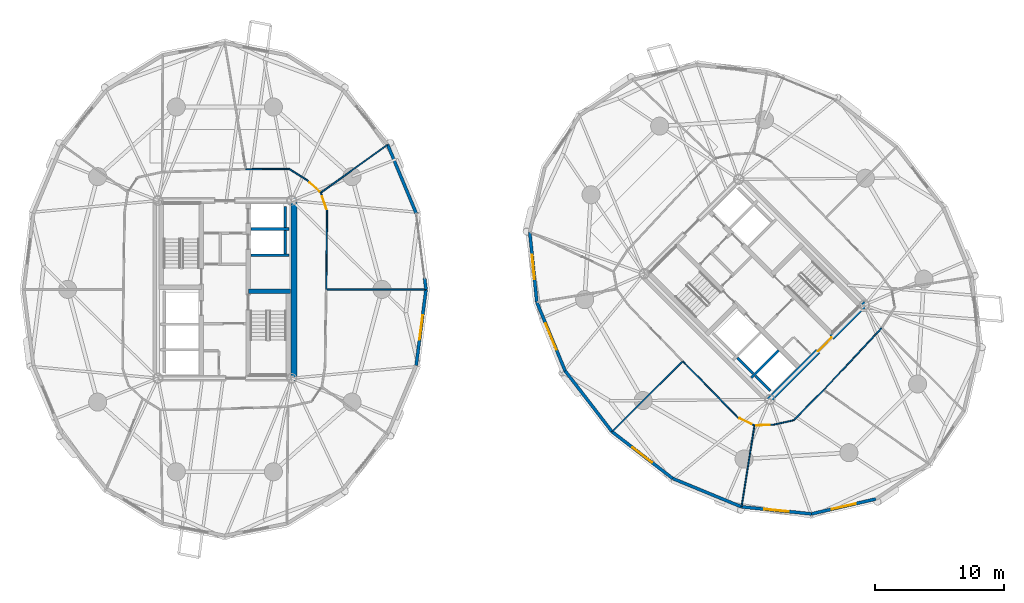
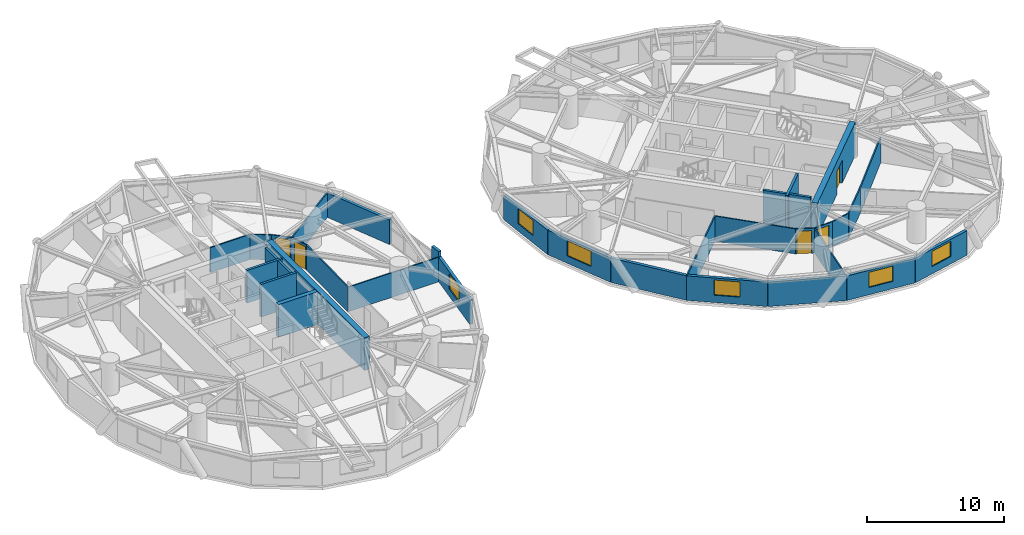
# One storey, part 11 of 16: 35 walls, 6 windows, 5 doors, 11 openings.
"""IFC4 building model written with IfcOpenShell, lengths in metres."""

from ifc_helpers import new_model, si_unit, direction, frame, frame_2d, origin, place, context, subcontext, project, spatial, rectangle, extrude, source, transform, mapped, material, layer, layer_set, type_object, element, fill, save


model = new_model("IFC4")

# Units and contexts
model_context = context("Model", 3, precision=1e-05, world=origin(), true_north=direction((0.0, 1.0)))
body_context = subcontext(model_context, "Body", "Model", "MODEL_VIEW")
ifc_project = project(units=[si_unit("LENGTHUNIT", "METRE"), si_unit("AREAUNIT", "SQUARE_METRE"), si_unit("VOLUMEUNIT", "CUBIC_METRE"), si_unit("PLANEANGLEUNIT", "RADIAN"), si_unit("MASSUNIT", "GRAM", prefix="KILO")], contexts=[model_context])

# Site, building, storey
site_placement = place(None, origin())
site = spatial("IfcSite", under=ifc_project, at=site_placement, CompositionType="ELEMENT")
building_placement = place(site_placement, origin())
building = spatial("IfcBuilding", under=site, at=building_placement, Name="Cununo Teusaquillo Station Towers", CompositionType="ELEMENT")
storey_placement = place(building_placement, frame((0.0, 0.0, 99.25)))
storey = spatial("IfcBuildingStorey", under=building, at=storey_placement, Name="L31", CompositionType="ELEMENT", Elevation=99.25)

# Walls
ifc_material_1 = material(Name="Concrete C50/60", Category="concrete")
ifc_layer_1 = layer(ifc_material_1, 0.199951171875)
ifc_layer_set_1 = layer_set([ifc_layer_1], Name="Concrete C50/60")
wall_type_1 = type_object("IfcWallType", Name="WL-CORE-200", PredefinedType="SHEAR", material=ifc_layer_set_1)
for number, where, z_axis, x_axis, name in (
    (1, (18.510009765625, 27.1298828125, 0.0), (0.0, 0.0, 1.0), (1.0, 0.0, 0.0), "L31 Tower A Low-Rise Lift Hoistway South Shear Wall"),
    (2, (18.510009765625, 29.175048828125, 0.0), (0.0, 0.0, 1.0), (1.0, 0.0, 0.0), "L31 Tower A Low-Rise Lift Hoistway Divider Shear Wall"),
):
    element("IfcWall", number, at=place(storey_placement, frame(where, z_axis=z_axis, x_axis=x_axis)), inside=storey, type_object=wall_type_1, Name=name, PredefinedType="SHEAR", context=body_context, shape_type="SweptSolid", body=[
        extrude(rectangle(XDim=2.969970703125, YDim=0.199951171875, at=frame_2d((1.48486328125, 0.0))), origin(), (0.0, 0.0, 1.0), 2.909912109375),
    ])
wall_1_placement = place(storey_placement, frame((21.179931640625, 27.25, 0.0), z_axis=(0.0, 0.0, 1.0), x_axis=(0.0, 1.0, 0.0)))
element("IfcWall", 3, at=wall_1_placement, inside=storey, type_object=wall_type_1, Name="L31 Tower A Low-Rise Lift 1 Shaft Rear Shear Wall", PredefinedType="SHEAR", context=body_context, shape_type="SweptSolid", body=[
    extrude(rectangle(XDim=1.804931640625, YDim=0.199951171875, at=frame_2d((0.90234375, 0.0))), origin(), (0.0, 0.0, 1.0), 2.909912109375),
])
wall_2_placement = place(storey_placement, frame((21.179931640625, 29.294921875, 0.0), z_axis=(0.0, 0.0, 1.0), x_axis=(0.0, 1.0, 0.0)))
element("IfcWall", 4, at=wall_2_placement, inside=storey, type_object=wall_type_1, Name="L31 Tower A Low-Rise Lift 2 Shaft Rear Shear Wall", PredefinedType="SHEAR", context=body_context, shape_type="SweptSolid", body=[
    extrude(rectangle(XDim=1.635009765625, YDim=0.199951171875, at=frame_2d((0.8173828125, 0.0))), origin(), (0.0, 0.0, 1.0), 2.909912109375),
])
wall_3_placement = place(storey_placement, frame((57.2841796875, 17.6728515625, 0.0), z_axis=(0.0, 0.0, 1.0), x_axis=(0.707147878904, 0.70706568108, 0.0)))
element("IfcWall", 5, at=wall_3_placement, inside=storey, type_object=wall_type_1, Name="L31 Tower B High-Rise Lift Hoistway Divider Shear Wall", PredefinedType="SHEAR", context=body_context, shape_type="SweptSolid", body=[
    extrude(rectangle(XDim=2.97021484375, YDim=0.199951171875, at=frame_2d((1.485107421875, 0.0))), origin(), (0.0, 0.0, 1.0), 2.909912109375),
])
wall_4_placement = place(storey_placement, frame((57.41162109375, 17.969970703125, 0.0), z_axis=(0.0, 0.0, 1.0), x_axis=(-0.707106781187, 0.707106781187, 0.0)))
element("IfcWall", 6, at=wall_4_placement, inside=storey, type_object=wall_type_1, Name="L31 Tower B High-Rise Lift 2 Shaft Rear Shear Wall", PredefinedType="SHEAR", context=body_context, shape_type="SweptSolid", body=[
    extrude(rectangle(XDim=1.73486328125, YDim=0.199951171875, at=frame_2d((0.867431640625, 0.0))), origin(), (0.0, 0.0, 1.0), 2.909912109375),
])
wall_5_placement = place(storey_placement, frame((58.7373046875, 16.64404296875, 0.0), z_axis=(0.0, 0.0, 1.0), x_axis=(-0.707032117043, 0.707181437447, 0.0)))
element("IfcWall", 7, at=wall_5_placement, inside=storey, type_object=wall_type_1, Name="L31 Tower B High-Rise Lift 1 Shaft Rear Shear Wall", PredefinedType="SHEAR", context=body_context, shape_type="SweptSolid", body=[
    extrude(rectangle(XDim=1.635009765625, YDim=0.199951171875, at=frame_2d((0.8173828125, 0.0))), origin(), (0.0, 0.0, 1.0), 2.909912109375),
])
ifc_material_2 = material(Name="Concrete C50/60", Category="concrete")
ifc_layer_2 = layer(ifc_material_2, 0.35009765625)
ifc_layer_set_2 = layer_set([ifc_layer_2], Name="Concrete C50/60")
wall_type_2 = type_object("IfcWallType", Name="WL-CORE-350", PredefinedType="SHEAR", material=ifc_layer_set_2)
wall_6_placement = place(storey_placement, frame((18.31494140625, 24.344970703125, 0.0), z_axis=(0.0, 0.0, 1.0), x_axis=(1.0, 0.0, 0.0)))
element("IfcWall", 8, at=wall_6_placement, inside=storey, type_object=wall_type_2, Name="L31 Tower A Core Shear Wall ST2N", PredefinedType="SHEAR", context=body_context, shape_type="SweptSolid", body=[
    extrude(rectangle(XDim=3.28515625, YDim=0.35009765625, at=frame_2d((1.642578125, 0.0))), origin(), (0.0, 0.0, 1.0), 2.909912109375),
])
ifc_material_3 = material(Name="Concrete C60/75", Category="concrete")
ifc_layer_3 = layer(ifc_material_3, 0.449951171875)
ifc_layer_set_3 = layer_set([ifc_layer_3], Name="Concrete C60/75")
wall_type_3 = type_object("IfcWallType", Name="WL-CORE-450", PredefinedType="SHEAR", material=ifc_layer_set_3)
wall_7_placement = place(storey_placement, frame((21.85009765625, 17.39990234375, 0.0), z_axis=(0.0, 0.0, 1.0), x_axis=(0.0, 1.0, 0.0)))
element("IfcWall", 9, at=wall_7_placement, inside=storey, type_object=wall_type_3, Name="L31 Tower A Core Shear Wall E", PredefinedType="SHEAR", context=body_context, shape_type="SweptSolid", body=[
    extrude(rectangle(XDim=14.2001953125, YDim=0.449951171875, at=frame_2d((7.10009765625, 0.0))), origin(), (0.0, 0.0, 1.0), 2.909912109375),
])

# Wall, opening, door
wall_8_placement = place(storey_placement, frame((58.578369140625, 15.855712890625, 0.0), z_axis=(0.0, 0.0, 1.0), x_axis=(0.707106781187, 0.707106781187, 0.0)))
wall_8 = element("IfcWall", 10, at=wall_8_placement, inside=storey, type_object=wall_type_3, Name="L31 Tower B Core Shear Wall S", PredefinedType="SHEAR", context=body_context, shape_type="SweptSolid", body=[
    extrude(rectangle(XDim=10.69970703125, YDim=0.449951171875, at=frame_2d((5.349853515625, 0.0))), origin(), (0.0, 0.0, 1.0), 2.909912109375),
])
shared_shape_1 = source(origin(), body_context, "Body", "SweptSolid", [
    extrude(rectangle(XDim=1.5, YDim=2.02001953125, at=frame_2d((0.75, 1.010009765625))), frame((0.0, 0.23486328125, 0.0), z_axis=(0.0, -1.0, 0.0), x_axis=(1.0, 0.0, 0.0)), (0.0, 0.0, 1.0), 0.469970703125),
])
opening_1_placement = place(wall_8_placement, frame((5.449951171875, 0.0, 0.0)))
opening_1 = element("IfcOpeningElement", 11, at=opening_1_placement, cuts=wall_8, Name="Opening D-LB1", PredefinedType="OPENING", context=body_context, shape_type="MappedRepresentation", body=[
    mapped(shared_shape_1, transform((0.0, 0.0, 0.0), x_axis=(1.0, 0.0, 0.0), y_axis=(0.0, 1.0, 0.0), z_axis=(0.0, 0.0, 1.0), scale=1.0)),
])
ifc_material_4 = material(Name="Galvanised fire-rated hollow steel door assembly", Category="steel")
door_type_1 = type_object("IfcDoorType", Name="DR-LOBBY-1500", OperationType="DOUBLE_DOOR_SINGLE_SWING", PredefinedType="DOOR", material=ifc_material_4)
shared_shape_2 = source(origin(), body_context, "Body", "SweptSolid", [
    extrude(rectangle(XDim=1.5, YDim=2.02001953125, at=frame_2d((0.75, 1.010009765625))), frame((0.0, 0.02490234375, 0.0), z_axis=(0.0, -1.0, 0.0), x_axis=(1.0, 0.0, 0.0)), (0.0, 0.0, 1.0), 0.050048828125),
])
door_1_placement = place(opening_1_placement, origin())
door_1 = element("IfcDoor", 12, at=door_1_placement, inside=storey, type_object=door_type_1, Name="L31 Tower B South Core Lift Lobby Door", OperationType="DOUBLE_DOOR_SINGLE_SWING", OverallHeight=2.02001953125, OverallWidth=1.5, PredefinedType="DOOR", context=body_context, shape_type="MappedRepresentation", body=[
    mapped(shared_shape_2, transform((0.0, 0.0, 0.0), x_axis=(1.0, 0.0, 0.0), y_axis=(0.0, 1.0, 0.0), z_axis=(0.0, 0.0, 1.0), scale=1.0)),
])
fill(opening_1, door_1)

# Walls
ifc_material_5 = material(Name="Precast concrete C40/50", Category="concrete")
ifc_layer_4 = layer(ifc_material_5, 0.239990234375)
ifc_layer_set_4 = layer_set([ifc_layer_4], Name="Precast concrete C40/50")
wall_type_4 = type_object("IfcWallType", Name="WL-EXT-240", PredefinedType="SOLIDWALL", material=ifc_layer_set_4)
wall_9_placement = place(storey_placement, frame((31.96923828125, 25.36279296875, 0.0), z_axis=(0.0, 0.0, 1.0), x_axis=(0.128523364007, -0.991706481225, 0.0)))
element("IfcWall", 13, at=wall_9_placement, inside=storey, type_object=wall_type_4, Name="L31 Tower A Column Pier Cladding Wall C00-PB", PredefinedType="SOLIDWALL", context=body_context, shape_type="SweptSolid", body=[
    extrude(rectangle(XDim=0.8701171875, YDim=0.239990234375, at=frame_2d((0.43505859375, 0.0))), origin(), (0.0, 0.0, 1.0), 2.655029296875),
])
wall_10_placement = place(storey_placement, frame((29.105224609375, 35.708984375, 0.0), z_axis=(0.0, 0.0, 1.0), x_axis=(0.384344417632, -0.923189779317, 0.0)))
element("IfcWall", 14, at=wall_10_placement, inside=storey, type_object=wall_type_4, Name="L31 Tower A Exterior Facade Wall C01", PredefinedType="SOLIDWALL", context=body_context, shape_type="SweptSolid", body=[
    extrude(rectangle(XDim=5.75830078125, YDim=0.239990234375, at=frame_2d((2.879150390625, 0.0))), origin(), (0.0, 0.0, 1.0), 2.178955078125),
])

# Wall, opening, window
wall_11_placement = place(storey_placement, frame((32.0810546875, 24.5, 0.0), z_axis=(0.0, 0.0, 1.0), x_axis=(-0.128351991996, -0.991728675672, 0.0)))
wall_11 = element("IfcWall", 15, at=wall_11_placement, inside=storey, type_object=wall_type_4, Name="L31 Tower A Exterior Facade Wall C19", PredefinedType="SOLIDWALL", context=body_context, shape_type="SweptSolid", body=[
    extrude(rectangle(XDim=5.942138671875, YDim=0.239990234375, at=frame_2d((2.97119140625, 0.0))), origin(), (0.0, 0.0, 1.0), 2.178955078125),
])
shared_shape_3 = source(origin(), body_context, "Body", "SweptSolid", [
    extrude(rectangle(XDim=1.89990234375, YDim=1.35009765625, at=frame_2d((0.949951171875, 0.675048828125))), frame((0.0, 0.1298828125, 0.0), z_axis=(0.0, -1.0, 0.0), x_axis=(1.0, 0.0, 0.0)), (0.0, 0.0, 1.0), 0.260009765625),
])
opening_2_placement = place(wall_11_placement, frame((2.02099609375, 0.0, 0.64990234375)))
opening_2 = element("IfcOpeningElement", 16, at=opening_2_placement, cuts=wall_11, Name="Opening WN-02", PredefinedType="OPENING", context=body_context, shape_type="MappedRepresentation", body=[
    mapped(shared_shape_3, transform((0.0, 0.0, 0.0), x_axis=(1.0, 0.0, 0.0), y_axis=(0.0, 1.0, 0.0), z_axis=(0.0, 0.0, 1.0), scale=1.0)),
])
ifc_material_6 = material(Name="Operable acoustic tinted low-E double glazing", Category="glass")
window_type_1 = type_object("IfcWindowType", Name="WIN-OPER-1900", PartitioningType="DOUBLE_PANEL_VERTICAL", PredefinedType="WINDOW", material=ifc_material_6)
shared_shape_4 = source(origin(), body_context, "Body", "SweptSolid", [
    extrude(rectangle(XDim=1.89990234375, YDim=1.35009765625, at=frame_2d((0.949951171875, 0.675048828125))), frame((0.0, 0.030029296875, 0.0), z_axis=(0.0, -1.0, 0.0), x_axis=(1.0, 0.0, 0.0)), (0.0, 0.0, 1.0), 0.06005859375),
])
window_1_placement = place(opening_2_placement, origin())
window_1 = element("IfcWindow", 17, at=window_1_placement, inside=storey, type_object=window_type_1, Name="L31 Tower A Facade Window C19", OverallHeight=1.35009765625, OverallWidth=1.89990234375, PartitioningType="DOUBLE_PANEL_VERTICAL", PredefinedType="WINDOW", context=body_context, shape_type="MappedRepresentation", body=[
    mapped(shared_shape_4, transform((0.0, 0.0, 0.0), x_axis=(1.0, 0.0, 0.0), y_axis=(0.0, 1.0, 0.0), z_axis=(0.0, 0.0, 1.0), scale=1.0)),
])
fill(opening_2, window_1)

wall_12_placement = place(storey_placement, frame((40.66064453125, 23.5126953125, 0.0), z_axis=(0.0, 0.0, 1.0), x_axis=(-0.10015591906, 0.994971754311, 0.0)))
wall_12 = element("IfcWall", 18, at=wall_12_placement, inside=storey, type_object=wall_type_4, Name="L31 Tower B Exterior Facade Wall C07", PredefinedType="SOLIDWALL", context=body_context, shape_type="SweptSolid", body=[
    extrude(rectangle(XDim=5.447998046875, YDim=0.239990234375, at=frame_2d((2.72412109375, 0.0))), origin(), (0.0, 0.0, 1.0), 2.178955078125),
])
opening_3_placement = place(wall_12_placement, frame((1.77392578125, 0.0, 0.64990234375)))
opening_3 = element("IfcOpeningElement", 19, at=opening_3_placement, cuts=wall_12, Name="Opening WN-02", PredefinedType="OPENING", context=body_context, shape_type="MappedRepresentation", body=[
    mapped(shared_shape_3, transform((0.0, 0.0, 0.0), x_axis=(1.0, 0.0, 0.0), y_axis=(0.0, 1.0, 0.0), z_axis=(0.0, 0.0, 1.0), scale=1.0)),
])
window_2_placement = place(opening_3_placement, origin())
window_2 = element("IfcWindow", 20, at=window_2_placement, inside=storey, type_object=window_type_1, Name="L31 Tower B Facade Window C07", OverallHeight=1.35009765625, OverallWidth=1.89990234375, PartitioningType="DOUBLE_PANEL_VERTICAL", PredefinedType="WINDOW", context=body_context, shape_type="MappedRepresentation", body=[
    mapped(shared_shape_4, transform((0.0, 0.0, 0.0), x_axis=(1.0, 0.0, 0.0), y_axis=(0.0, 1.0, 0.0), z_axis=(0.0, 0.0, 1.0), scale=1.0)),
])
fill(opening_3, window_2)

wall_13_placement = place(storey_placement, frame((42.854736328125, 18.188720703125, 0.0), z_axis=(0.0, 0.0, 1.0), x_axis=(-0.381027003055, 0.924563909604, 0.0)))
wall_13 = element("IfcWall", 21, at=wall_13_placement, inside=storey, type_object=wall_type_4, Name="L31 Tower B Exterior Facade Wall C08", PredefinedType="SOLIDWALL", context=body_context, shape_type="SweptSolid", body=[
    extrude(rectangle(XDim=5.75830078125, YDim=0.239990234375, at=frame_2d((2.879150390625, 0.0))), origin(), (0.0, 0.0, 1.0), 2.178955078125),
])
shared_shape_5 = source(origin(), body_context, "Body", "SweptSolid", [
    extrude(rectangle(XDim=2.199951171875, YDim=1.35009765625, at=frame_2d((1.10009765625, 0.675048828125))), frame((0.0, 0.1298828125, 0.0), z_axis=(0.0, -1.0, 0.0), x_axis=(1.0, 0.0, 0.0)), (0.0, 0.0, 1.0), 0.260009765625),
])
opening_4_placement = place(wall_13_placement, frame((1.779052734375, 0.0, 0.64990234375)))
opening_4 = element("IfcOpeningElement", 22, at=opening_4_placement, cuts=wall_13, Name="Opening WN-01", PredefinedType="OPENING", context=body_context, shape_type="MappedRepresentation", body=[
    mapped(shared_shape_5, transform((0.0, 0.0, 0.0), x_axis=(1.0, 0.0, 0.0), y_axis=(0.0, 1.0, 0.0), z_axis=(0.0, 0.0, 1.0), scale=1.0)),
])
ifc_material_7 = material(Name="Ceramic-fritted dark low-E double glazing", Category="glass")
window_type_2 = type_object("IfcWindowType", Name="WIN-FRIT-2200", PartitioningType="DOUBLE_PANEL_VERTICAL", PredefinedType="WINDOW", material=ifc_material_7)
shared_shape_6 = source(origin(), body_context, "Body", "SweptSolid", [
    extrude(rectangle(XDim=2.199951171875, YDim=1.35009765625, at=frame_2d((1.10009765625, 0.675048828125))), frame((0.0, 0.030029296875, 0.0), z_axis=(0.0, -1.0, 0.0), x_axis=(1.0, 0.0, 0.0)), (0.0, 0.0, 1.0), 0.06005859375),
])
window_3_placement = place(opening_4_placement, origin())
window_3 = element("IfcWindow", 23, at=window_3_placement, inside=storey, type_object=window_type_2, Name="L31 Tower B Facade Window C08", OverallHeight=1.35009765625, OverallWidth=2.199951171875, PartitioningType="DOUBLE_PANEL_VERTICAL", PredefinedType="WINDOW", context=body_context, shape_type="MappedRepresentation", body=[
    mapped(shared_shape_6, transform((0.0, 0.0, 0.0), x_axis=(1.0, 0.0, 0.0), y_axis=(0.0, 1.0, 0.0), z_axis=(0.0, 0.0, 1.0), scale=1.0)),
])
fill(opening_4, window_3)

# Wall
wall_14_placement = place(storey_placement, frame((46.482666015625, 13.482666015625, 0.0), z_axis=(0.0, 0.0, 1.0), x_axis=(-0.61054437102, 0.791982052206, 0.0)))
element("IfcWall", 24, at=wall_14_placement, inside=storey, type_object=wall_type_4, Name="L31 Tower B Exterior Facade Wall C09", PredefinedType="SOLIDWALL", context=body_context, shape_type="SweptSolid", body=[
    extrude(rectangle(XDim=5.942138671875, YDim=0.239990234375, at=frame_2d((2.97119140625, 0.0))), origin(), (0.0, 0.0, 1.0), 2.178955078125),
])

# Wall, opening, window
wall_15_placement = place(storey_placement, frame((51.188720703125, 9.854736328125, 0.0), z_axis=(0.0, 0.0, 1.0), x_axis=(-0.791982052206, 0.61054437102, 0.0)))
wall_15 = element("IfcWall", 25, at=wall_15_placement, inside=storey, type_object=wall_type_4, Name="L31 Tower B Exterior Facade Wall C10", PredefinedType="SOLIDWALL", context=body_context, shape_type="SweptSolid", body=[
    extrude(rectangle(XDim=5.942138671875, YDim=0.239990234375, at=frame_2d((2.97119140625, 0.0))), origin(), (0.0, 0.0, 1.0), 2.178955078125),
])
opening_5_placement = place(wall_15_placement, frame((2.02099609375, 0.0, 0.64990234375)))
opening_5 = element("IfcOpeningElement", 26, at=opening_5_placement, cuts=wall_15, Name="Opening WN-02", PredefinedType="OPENING", context=body_context, shape_type="MappedRepresentation", body=[
    mapped(shared_shape_3, transform((0.0, 0.0, 0.0), x_axis=(1.0, 0.0, 0.0), y_axis=(0.0, 1.0, 0.0), z_axis=(0.0, 0.0, 1.0), scale=1.0)),
])
window_4_placement = place(opening_5_placement, origin())
window_4 = element("IfcWindow", 27, at=window_4_placement, inside=storey, type_object=window_type_1, Name="L31 Tower B Facade Window C10", OverallHeight=1.35009765625, OverallWidth=1.89990234375, PartitioningType="DOUBLE_PANEL_VERTICAL", PredefinedType="WINDOW", context=body_context, shape_type="MappedRepresentation", body=[
    mapped(shared_shape_4, transform((0.0, 0.0, 0.0), x_axis=(1.0, 0.0, 0.0), y_axis=(0.0, 1.0, 0.0), z_axis=(0.0, 0.0, 1.0), scale=1.0)),
])
fill(opening_5, window_4)

# Wall
wall_16_placement = place(storey_placement, frame((56.5126953125, 7.66064453125, 0.0), z_axis=(0.0, 0.0, 1.0), x_axis=(-0.924563909604, 0.381027003055, 0.0)))
element("IfcWall", 28, at=wall_16_placement, inside=storey, type_object=wall_type_4, Name="L31 Tower B Exterior Facade Wall C11", PredefinedType="SOLIDWALL", context=body_context, shape_type="SweptSolid", body=[
    extrude(rectangle(XDim=5.75830078125, YDim=0.239990234375, at=frame_2d((2.879150390625, 0.0))), origin(), (0.0, 0.0, 1.0), 2.178955078125),
])

# Wall, opening, window
wall_17_placement = place(storey_placement, frame((61.933349609375, 7.114990234375, 0.0), z_axis=(0.0, 0.0, 1.0), x_axis=(-0.994971754311, 0.10015591906, 0.0)))
wall_17 = element("IfcWall", 29, at=wall_17_placement, inside=storey, type_object=wall_type_4, Name="L31 Tower B Exterior Facade Wall C12", PredefinedType="SOLIDWALL", context=body_context, shape_type="SweptSolid", body=[
    extrude(rectangle(XDim=5.447998046875, YDim=0.239990234375, at=frame_2d((2.72412109375, 0.0))), origin(), (0.0, 0.0, 1.0), 2.178955078125),
])
opening_6_placement = place(wall_17_placement, frame((1.77392578125, 0.0, 0.64990234375)))
opening_6 = element("IfcOpeningElement", 30, at=opening_6_placement, cuts=wall_17, Name="Opening WN-02", PredefinedType="OPENING", context=body_context, shape_type="MappedRepresentation", body=[
    mapped(shared_shape_3, transform((0.0, 0.0, 0.0), x_axis=(1.0, 0.0, 0.0), y_axis=(0.0, 1.0, 0.0), z_axis=(0.0, 0.0, 1.0), scale=1.0)),
])
window_5_placement = place(opening_6_placement, origin())
window_5 = element("IfcWindow", 31, at=window_5_placement, inside=storey, type_object=window_type_1, Name="L31 Tower B Facade Window C12", OverallHeight=1.35009765625, OverallWidth=1.89990234375, PartitioningType="DOUBLE_PANEL_VERTICAL", PredefinedType="WINDOW", context=body_context, shape_type="MappedRepresentation", body=[
    mapped(shared_shape_4, transform((0.0, 0.0, 0.0), x_axis=(1.0, 0.0, 0.0), y_axis=(0.0, 1.0, 0.0), z_axis=(0.0, 0.0, 1.0), scale=1.0)),
])
fill(opening_6, window_5)

wall_18_placement = place(storey_placement, frame((66.919921875, 8.27099609375, 0.0), z_axis=(0.0, 0.0, 1.0), x_axis=(-0.974165631126, -0.225834725257, 0.0)))
wall_18 = element("IfcWall", 32, at=wall_18_placement, inside=storey, type_object=wall_type_4, Name="L31 Tower B Exterior Facade Wall C13", PredefinedType="SOLIDWALL", context=body_context, shape_type="SweptSolid", body=[
    extrude(rectangle(XDim=5.118896484375, YDim=0.239990234375, at=frame_2d((2.5595703125, 0.0))), origin(), (0.0, 0.0, 1.0), 2.178955078125),
])
opening_7_placement = place(wall_18_placement, frame((1.60888671875, 0.0, 0.64990234375)))
opening_7 = element("IfcOpeningElement", 33, at=opening_7_placement, cuts=wall_18, Name="Opening WN-02", PredefinedType="OPENING", context=body_context, shape_type="MappedRepresentation", body=[
    mapped(shared_shape_3, transform((0.0, 0.0, 0.0), x_axis=(1.0, 0.0, 0.0), y_axis=(0.0, 1.0, 0.0), z_axis=(0.0, 0.0, 1.0), scale=1.0)),
])
window_6_placement = place(opening_7_placement, origin())
window_6 = element("IfcWindow", 34, at=window_6_placement, inside=storey, type_object=window_type_1, Name="L31 Tower B Facade Window C13", OverallHeight=1.35009765625, OverallWidth=1.89990234375, PartitioningType="DOUBLE_PANEL_VERTICAL", PredefinedType="WINDOW", context=body_context, shape_type="MappedRepresentation", body=[
    mapped(shared_shape_4, transform((0.0, 0.0, 0.0), x_axis=(1.0, 0.0, 0.0), y_axis=(0.0, 1.0, 0.0), z_axis=(0.0, 0.0, 1.0), scale=1.0)),
])
fill(opening_7, window_6)

# Wall
ifc_material_8 = material(Name="Fire-rated gypsum plasterboard partition assembly", Category="gypsum")
ifc_layer_5 = layer(ifc_material_8, 0.10009765625)
ifc_layer_set_5 = layer_set([ifc_layer_5], Name="Fire-rated gypsum plasterboard partition assembly")
wall_type_5 = type_object("IfcWallType", Name="WL-PART-100", PredefinedType="MOVABLE", material=ifc_layer_set_5)
wall_19_placement = place(storey_placement, frame((24.35009765625, 24.5, 0.0), z_axis=(0.0, 0.0, 1.0), x_axis=(0.011520250275, 0.999933639715, 0.0)))
element("IfcWall", 35, at=wall_19_placement, inside=storey, type_object=wall_type_5, Name="L31 Tower A Corridor Ring Wall C00", PredefinedType="MOVABLE", context=body_context, shape_type="SweptSolid", body=[
    extrude(rectangle(XDim=6.082275390625, YDim=0.10009765625, at=frame_2d((3.041015625, 0.0))), origin(), (0.0, 0.0, 1.0), 2.22509765625),
])

# Wall, opening, door
wall_20_placement = place(storey_placement, frame((24.420166015625, 30.581787109375, 0.0), z_axis=(0.0, 0.0, 1.0), x_axis=(-0.327437665675, 0.944872782494, 0.0)))
wall_20 = element("IfcWall", 36, at=wall_20_placement, inside=storey, type_object=wall_type_5, Name="L31 Tower A Corridor Ring Wall C01", PredefinedType="MOVABLE", context=body_context, shape_type="SweptSolid", body=[
    extrude(rectangle(XDim=1.48681640625, YDim=0.10009765625, at=frame_2d((0.743408203125, 0.0))), origin(), (0.0, 0.0, 1.0), 2.22509765625),
])
shared_shape_7 = source(origin(), body_context, "Body", "SweptSolid", [
    extrude(rectangle(XDim=1.050048828125, YDim=2.014892578125, at=frame_2d((0.52490234375, 1.00732421875))), frame((0.0, 0.06005859375, 0.0), z_axis=(0.0, -1.0, 0.0), x_axis=(1.0, 0.0, 0.0)), (0.0, 0.0, 1.0), 0.1201171875),
])
opening_8_placement = place(wall_20_placement, frame((0.1201171875, 0.0, 0.0)))
opening_8 = element("IfcOpeningElement", 37, at=opening_8_placement, cuts=wall_20, Name="Opening D-SU1", PredefinedType="OPENING", context=body_context, shape_type="MappedRepresentation", body=[
    mapped(shared_shape_7, transform((0.0, 0.0, 0.0), x_axis=(1.0, 0.0, 0.0), y_axis=(0.0, 1.0, 0.0), z_axis=(0.0, 0.0, 1.0), scale=1.0)),
])
ifc_material_9 = material(Name="Acoustic solid-core hardwood leaf assembly", Category="wood")
door_type_2 = type_object("IfcDoorType", Name="DR-SUITE-1050", OperationType="NOTDEFINED", PredefinedType="DOOR", material=ifc_material_9)
shared_shape_8 = source(origin(), body_context, "Body", "SweptSolid", [
    extrude(rectangle(XDim=1.050048828125, YDim=2.014892578125, at=frame_2d((0.52490234375, 1.00732421875))), frame((0.0, 0.02490234375, 0.0), z_axis=(0.0, -1.0, 0.0), x_axis=(1.0, 0.0, 0.0)), (0.0, 0.0, 1.0), 0.050048828125),
])
door_2_placement = place(opening_8_placement, origin())
door_2 = element("IfcDoor", 38, at=door_2_placement, inside=storey, type_object=door_type_2, Name="L31 Tower A Equities & Carbon Desk Trading Hall Entrance Door", OperationType="SINGLE_SWING_RIGHT", OverallHeight=2.014892578125, OverallWidth=1.050048828125, PredefinedType="DOOR", context=body_context, shape_type="MappedRepresentation", body=[
    mapped(shared_shape_8, transform((0.0, 0.0, 0.0), x_axis=(1.0, 0.0, 0.0), y_axis=(0.0, 1.0, 0.0), z_axis=(0.0, 0.0, 1.0), scale=1.0)),
])
fill(opening_8, door_2)

wall_21_placement = place(storey_placement, frame((23.933349609375, 31.986572265625, 0.0), z_axis=(0.0, 0.0, 1.0), x_axis=(-0.742471347264, 0.669877823556, 0.0)))
wall_21 = element("IfcWall", 39, at=wall_21_placement, inside=storey, type_object=wall_type_5, Name="L31 Tower A Corridor Ring Wall C02", PredefinedType="MOVABLE", context=body_context, shape_type="SweptSolid", body=[
    extrude(rectangle(XDim=1.476318359375, YDim=0.10009765625, at=frame_2d((0.73828125, 0.0))), origin(), (0.0, 0.0, 1.0), 2.22509765625),
])
opening_9_placement = place(wall_21_placement, frame((0.1201171875, 0.0, 0.0)))
opening_9 = element("IfcOpeningElement", 40, at=opening_9_placement, cuts=wall_21, Name="Opening D-SU1", PredefinedType="OPENING", context=body_context, shape_type="MappedRepresentation", body=[
    mapped(shared_shape_7, transform((0.0, 0.0, 0.0), x_axis=(1.0, 0.0, 0.0), y_axis=(0.0, 1.0, 0.0), z_axis=(0.0, 0.0, 1.0), scale=1.0)),
])
door_3_placement = place(opening_9_placement, origin())
door_3 = element("IfcDoor", 41, at=door_3_placement, inside=storey, type_object=door_type_2, Name="L31 Tower A Quantitative Risk Analytics Practice Entrance Door", OperationType="SINGLE_SWING_LEFT", OverallHeight=2.014892578125, OverallWidth=1.050048828125, PredefinedType="DOOR", context=body_context, shape_type="MappedRepresentation", body=[
    mapped(shared_shape_8, transform((0.0, 0.0, 0.0), x_axis=(1.0, 0.0, 0.0), y_axis=(0.0, 1.0, 0.0), z_axis=(0.0, 0.0, 1.0), scale=1.0)),
])
fill(opening_9, door_3)

# Walls
wall_22_placement = place(storey_placement, frame((22.837158203125, 32.9755859375, 0.0), z_axis=(0.0, 0.0, 1.0), x_axis=(-0.844976677144, 0.534803155454, 0.0)))
element("IfcWall", 42, at=wall_22_placement, inside=storey, type_object=wall_type_5, Name="L31 Tower A Corridor Ring Wall C03", PredefinedType="MOVABLE", context=body_context, shape_type="SweptSolid", body=[
    extrude(rectangle(XDim=1.5869140625, YDim=0.10009765625, at=frame_2d((0.79345703125, 0.0))), origin(), (0.0, 0.0, 1.0), 2.22509765625),
])
wall_23_placement = place(storey_placement, frame((21.496337890625, 33.82421875, 0.0), z_axis=(0.0, 0.0, 1.0), x_axis=(-0.999990516754, -0.004355043261, 0.0)))
element("IfcWall", 43, at=wall_23_placement, inside=storey, type_object=wall_type_5, Name="L31 Tower A Corridor Ring Wall C04", PredefinedType="MOVABLE", context=body_context, shape_type="SweptSolid", body=[
    extrude(rectangle(XDim=3.363525390625, YDim=0.10009765625, at=frame_2d((1.681640625, 0.0))), origin(), (0.0, 0.0, 1.0), 2.22509765625),
])
wall_24_placement = place(storey_placement, frame((24.35009765625, 24.5, 0.0), z_axis=(0.0, 0.0, 1.0), x_axis=(1.0, 0.0, 0.0)))
element("IfcWall", 44, at=wall_24_placement, inside=storey, type_object=wall_type_5, Name="L31 Tower A Radial Suite Partition R01", PredefinedType="MOVABLE", context=body_context, shape_type="SweptSolid", body=[
    extrude(rectangle(XDim=7.7109375, YDim=0.10009765625, at=frame_2d((3.85546875, 0.0))), origin(), (0.0, 0.0, 1.0), 2.178955078125),
])
wall_25_placement = place(storey_placement, frame((23.933349609375, 31.986572265625, 0.0), z_axis=(0.0, 0.0, 1.0), x_axis=(0.811642946178, 0.584153856377, 0.0)))
element("IfcWall", 45, at=wall_25_placement, inside=storey, type_object=wall_type_5, Name="L31 Tower A Radial Suite Partition R02", PredefinedType="MOVABLE", context=body_context, shape_type="SweptSolid", body=[
    extrude(rectangle(XDim=6.352294921875, YDim=0.10009765625, at=frame_2d((3.17626953125, 0.0))), origin(), (0.0, 0.0, 1.0), 2.178955078125),
])
wall_26_placement = place(storey_placement, frame((51.94921875, 18.94921875, 0.0), z_axis=(0.0, 0.0, 1.0), x_axis=(0.699840807936, -0.714298847506, 0.0)))
element("IfcWall", 46, at=wall_26_placement, inside=storey, type_object=wall_type_5, Name="L31 Tower B Corridor Ring Wall C10", PredefinedType="MOVABLE", context=body_context, shape_type="SweptSolid", body=[
    extrude(rectangle(XDim=6.129638671875, YDim=0.10009765625, at=frame_2d((3.06494140625, 0.0))), origin(), (0.0, 0.0, 1.0), 2.22509765625),
])

# Wall, opening, door
wall_27_placement = place(storey_placement, frame((56.239013671875, 14.57080078125, 0.0), z_axis=(0.0, 0.0, 1.0), x_axis=(0.901549955153, -0.432675026278, 0.0)))
wall_27 = element("IfcWall", 47, at=wall_27_placement, inside=storey, type_object=wall_type_5, Name="L31 Tower B Corridor Ring Wall C11", PredefinedType="MOVABLE", context=body_context, shape_type="SweptSolid", body=[
    extrude(rectangle(XDim=1.416259765625, YDim=0.10009765625, at=frame_2d((0.7080078125, 0.0))), origin(), (0.0, 0.0, 1.0), 2.22509765625),
])
opening_10_placement = place(wall_27_placement, frame((0.1201171875, 0.0, 0.0)))
opening_10 = element("IfcOpeningElement", 48, at=opening_10_placement, cuts=wall_27, Name="Opening D-SU1", PredefinedType="OPENING", context=body_context, shape_type="MappedRepresentation", body=[
    mapped(shared_shape_7, transform((0.0, 0.0, 0.0), x_axis=(1.0, 0.0, 0.0), y_axis=(0.0, 1.0, 0.0), z_axis=(0.0, 0.0, 1.0), scale=1.0)),
])
door_4_placement = place(opening_10_placement, origin())
door_4 = element("IfcDoor", 49, at=door_4_placement, inside=storey, type_object=door_type_2, Name="L31 Tower B Derivatives Structuring Office Entrance Door", OperationType="SINGLE_SWING_RIGHT", OverallHeight=2.014892578125, OverallWidth=1.050048828125, PredefinedType="DOOR", context=body_context, shape_type="MappedRepresentation", body=[
    mapped(shared_shape_8, transform((0.0, 0.0, 0.0), x_axis=(1.0, 0.0, 0.0), y_axis=(0.0, 1.0, 0.0), z_axis=(0.0, 0.0, 1.0), scale=1.0)),
])
fill(opening_10, door_4)

wall_28_placement = place(storey_placement, frame((57.515869140625, 13.9580078125, 0.0), z_axis=(0.0, 0.0, 1.0), x_axis=(0.999005711776, 0.044582371387, 0.0)))
wall_28 = element("IfcWall", 50, at=wall_28_placement, inside=storey, type_object=wall_type_5, Name="L31 Tower B Corridor Ring Wall C12", PredefinedType="MOVABLE", context=body_context, shape_type="SweptSolid", body=[
    extrude(rectangle(XDim=1.489501953125, YDim=0.10009765625, at=frame_2d((0.74462890625, 0.0))), origin(), (0.0, 0.0, 1.0), 2.22509765625),
])
opening_11_placement = place(wall_28_placement, frame((0.1201171875, 0.0, 0.0)))
opening_11 = element("IfcOpeningElement", 51, at=opening_11_placement, cuts=wall_28, Name="Opening D-SU1", PredefinedType="OPENING", context=body_context, shape_type="MappedRepresentation", body=[
    mapped(shared_shape_7, transform((0.0, 0.0, 0.0), x_axis=(1.0, 0.0, 0.0), y_axis=(0.0, 1.0, 0.0), z_axis=(0.0, 0.0, 1.0), scale=1.0)),
])
door_5_placement = place(opening_11_placement, origin())
door_5 = element("IfcDoor", 52, at=door_5_placement, inside=storey, type_object=door_type_2, Name="L31 Tower B Algorithmic Backtesting Lab Entrance Door", OperationType="SINGLE_SWING_LEFT", OverallHeight=2.014892578125, OverallWidth=1.050048828125, PredefinedType="DOOR", context=body_context, shape_type="MappedRepresentation", body=[
    mapped(shared_shape_8, transform((0.0, 0.0, 0.0), x_axis=(1.0, 0.0, 0.0), y_axis=(0.0, 1.0, 0.0), z_axis=(0.0, 0.0, 1.0), scale=1.0)),
])
fill(opening_11, door_5)

# Walls
wall_29_placement = place(storey_placement, frame((59.00390625, 14.0244140625, 0.0), z_axis=(0.0, 0.0, 1.0), x_axis=(0.976436847881, 0.215803341262, 0.0)))
element("IfcWall", 53, at=wall_29_placement, inside=storey, type_object=wall_type_5, Name="L31 Tower B Corridor Ring Wall C13", PredefinedType="MOVABLE", context=body_context, shape_type="SweptSolid", body=[
    extrude(rectangle(XDim=1.582763671875, YDim=0.10009765625, at=frame_2d((0.79150390625, 0.0))), origin(), (0.0, 0.0, 1.0), 2.22509765625),
])
wall_30_placement = place(storey_placement, frame((60.54931640625, 14.365966796875, 0.0), z_axis=(0.0, 0.0, 1.0), x_axis=(0.704402344516, 0.709800913666, 0.0)))
element("IfcWall", 54, at=wall_30_placement, inside=storey, type_object=wall_type_5, Name="L31 Tower B Corridor Ring Wall C14", PredefinedType="MOVABLE", context=body_context, shape_type="SweptSolid", body=[
    extrude(rectangle(XDim=3.30126953125, YDim=0.10009765625, at=frame_2d((1.650634765625, 0.0))), origin(), (0.0, 0.0, 1.0), 2.22509765625),
])
wall_31_placement = place(storey_placement, frame((62.874755859375, 16.709228515625, 0.0), z_axis=(0.0, 0.0, 1.0), x_axis=(0.682290572861, 0.731081099595, 0.0)))
element("IfcWall", 55, at=wall_31_placement, inside=storey, type_object=wall_type_5, Name="L31 Tower B Corridor Ring Wall C15", PredefinedType="MOVABLE", context=body_context, shape_type="SweptSolid", body=[
    extrude(rectangle(XDim=6.60009765625, YDim=0.10009765625, at=frame_2d((3.300048828125, 0.0))), origin(), (0.0, 0.0, 1.0), 2.22509765625),
])
wall_32_placement = place(storey_placement, frame((51.94921875, 18.94921875, 0.0), z_axis=(0.0, 0.0, 1.0), x_axis=(-0.707106781187, -0.707106781187, 0.0)))
element("IfcWall", 56, at=wall_32_placement, inside=storey, type_object=wall_type_5, Name="L31 Tower B Radial Suite Partition R05", PredefinedType="MOVABLE", context=body_context, shape_type="SweptSolid", body=[
    extrude(rectangle(XDim=7.711181640625, YDim=0.10009765625, at=frame_2d((3.85546875, 0.0))), origin(), (0.0, 0.0, 1.0), 2.178955078125),
])
wall_33_placement = place(storey_placement, frame((57.515869140625, 13.9580078125, 0.0), z_axis=(0.0, 0.0, 1.0), x_axis=(-0.157313405462, -0.987548729158, 0.0)))
element("IfcWall", 57, at=wall_33_placement, inside=storey, type_object=wall_type_5, Name="L31 Tower B Radial Suite Partition R06", PredefinedType="MOVABLE", context=body_context, shape_type="SweptSolid", body=[
    extrude(rectangle(XDim=6.356689453125, YDim=0.10009765625, at=frame_2d((3.17822265625, 0.0))), origin(), (0.0, 0.0, 1.0), 2.178955078125),
])

save(model, "model.ifc")
